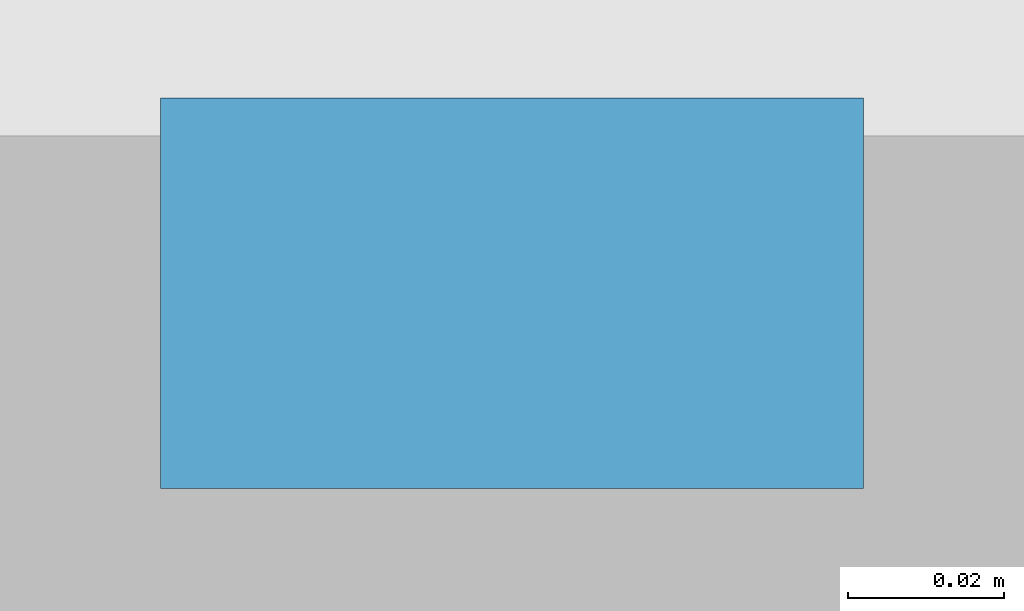
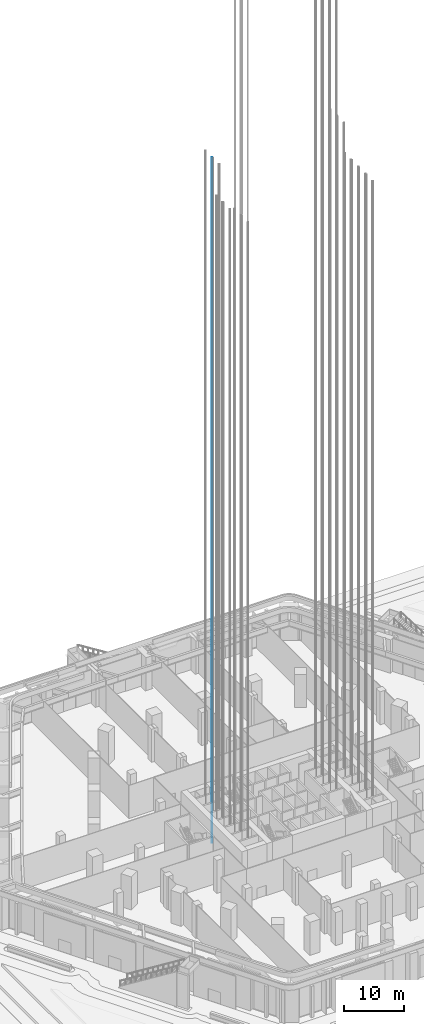
# One storey, part 37 of 68: 1 discrete accessory.
"""IFC4 building model written with IfcOpenShell, lengths in metres."""

import ifcopenshell
import ifcopenshell.guid

model = None  # the IFC model being written
_history = None  # IfcOwnerHistory: only IFC2X3 demands one
_inside = {}  # id of a spatial element -> (the spatial element, [elements in it])
_under = {}  # id of a project, library or spatial element -> (it, [spatial elements below it])
_declared = {}  # id of a project -> (the project, [libraries it declares])
_typed = {}  # id of a type object -> (the type object, [elements of that type])
_made_of = {}  # id of a material, layer set ... -> (it, [elements and type objects made of it])


def new_model(schema):
    """Start an empty IFC model of exactly this schema.

    Asked for "IFC4X3", IfcOpenShell would pick the latest addendum, in which some entities
    have other attributes; the version numbers below select the first issue.
    IFC2X3 requires an IfcOwnerHistory on every rooted entity: one is made here for all.
    """
    global model, _history
    if schema == "IFC4X3":
        model = ifcopenshell.file(schema_version=(4, 3, 0, 0))
    else:
        model = ifcopenshell.file(schema=schema)
    _inside.clear()
    _under.clear()
    _declared.clear()
    _typed.clear()
    _made_of.clear()
    _history = None
    if model.schema == "IFC2X3":
        org = make("IfcOrganization", Name="unknown")
        user = make(
            "IfcPersonAndOrganization",
            ThePerson=make("IfcPerson", FamilyName="unknown"),
            TheOrganization=org,
        )
        app = make(
            "IfcApplication",
            ApplicationDeveloper=org,
            Version="unknown",
            ApplicationFullName="unknown",
            ApplicationIdentifier="unknown",
        )
        _history = make(
            "IfcOwnerHistory",
            OwningUser=user,
            OwningApplication=app,
            ChangeAction="ADDED",
            CreationDate=0,
        )
    return model


def make(cls, **values):
    """One entity of the class cls with the attributes given. An attribute that is None is left unset."""
    return model.create_entity(
        cls, **{name: value for name, value in values.items() if value is not None}
    )


def rooted(cls, **values):
    """An entity with a GlobalId (a new one), such as an element, a storey or a relation."""
    return make(cls, GlobalId=ifcopenshell.guid.new(), OwnerHistory=_history, **values)


def si_unit(unit_type, name, prefix=None):
    """IfcSIUnit, for example si_unit("LENGTHUNIT", "METRE", prefix="MILLI")."""
    return make("IfcSIUnit", UnitType=unit_type, Prefix=prefix, Name=name)


def assignment(units):
    """IfcUnitAssignment: the units of a project."""
    return None if units is None else make("IfcUnitAssignment", Units=units)


def point(xyz):
    """IfcCartesianPoint."""
    return None if xyz is None else make("IfcCartesianPoint", Coordinates=xyz)


def direction(xyz):
    """IfcDirection."""
    return None if xyz is None else make("IfcDirection", DirectionRatios=xyz)


def frame(location, z_axis=None, x_axis=None):
    """IfcAxis2Placement3D, a coordinate frame: its origin and axes. An axis left out is left unset."""
    return make(
        "IfcAxis2Placement3D",
        Location=point(location),
        Axis=direction(z_axis),
        RefDirection=direction(x_axis),
    )


def frame_2d(location, x_axis=None):
    """IfcAxis2Placement2D, a coordinate frame in the plane: its origin and x axis."""
    return make(
        "IfcAxis2Placement2D", Location=point(location), RefDirection=direction(x_axis)
    )


def origin():
    """The frame at (0, 0, 0) with its axes left unset."""
    return frame((0.0, 0.0, 0.0))


def origin_2d():
    """The frame at (0, 0) in the plane with its x axis left unset."""
    return frame_2d((0.0, 0.0))


def place(relative_to, where):
    """IfcLocalPlacement: puts the frame where relative to a parent placement (None: the world)."""
    return make(
        "IfcLocalPlacement", PlacementRelTo=relative_to, RelativePlacement=where
    )


def context(
    kind, dimensions, precision=None, world=None, true_north=None, identifier=None
):
    """IfcGeometricRepresentationContext, for example the 3D "Model" context."""
    return make(
        "IfcGeometricRepresentationContext",
        ContextIdentifier=identifier,
        ContextType=kind,
        CoordinateSpaceDimension=dimensions,
        Precision=precision,
        WorldCoordinateSystem=world,
        TrueNorth=true_north,
    )


def subcontext(parent, identifier, kind, view, scale=None):
    """IfcGeometricRepresentationSubContext, for example "Body" below "Model"."""
    return make(
        "IfcGeometricRepresentationSubContext",
        ContextIdentifier=identifier,
        ContextType=kind,
        ParentContext=parent,
        TargetScale=scale,
        TargetView=view,
    )


def project(units=None, contexts=None):
    """IfcProject with its units and contexts."""
    return rooted(
        "IfcProject",
        Name="project",
        RepresentationContexts=contexts,
        UnitsInContext=assignment(units),
    )


def spatial(cls, under=None, at=None, **own):
    """A site, building, storey or space (cls), placed at a placement, below another one or the project."""
    s = rooted(cls, ObjectPlacement=at, **own)
    if under is not None:
        _under.setdefault(under.id(), (under, []))[1].append(s)
    return s


def profile(cls, at=None, kind="AREA", **sizes):
    """A parametric profile (cls). Its sizes go by their IFC names, for example OverallWidth=200.0."""
    return make(cls, ProfileType=kind, Position=at, **sizes)


def rectangle(**sizes):
    """IfcRectangleProfileDef."""
    return profile("IfcRectangleProfileDef", **sizes)


def extrude(swept, where, along, depth):
    """IfcExtrudedAreaSolid: the profile swept, set in the frame where, extruded along a direction by depth."""
    return make(
        "IfcExtrudedAreaSolid",
        SweptArea=swept,
        Position=where,
        ExtrudedDirection=direction(along),
        Depth=depth,
    )


def shape(context_of_items, identifier, shape_type, items):
    """IfcShapeRepresentation: the items that make up one representation, for example the "Body"."""
    return make(
        "IfcShapeRepresentation",
        ContextOfItems=context_of_items,
        RepresentationIdentifier=identifier,
        RepresentationType=shape_type,
        Items=items,
    )


def made_of(thing, what):
    """Note that an element or type object is made of a material, layer set ...; save() writes the relation."""
    if what is not None:
        _made_of.setdefault(what.id(), (what, []))[1].append(thing)
    return thing


def element(
    cls,
    number,
    at=None,
    inside=None,
    cuts=None,
    type_object=None,
    material=None,
    context=None,
    identifier="Body",
    shape_type=None,
    held_by="IfcProductDefinitionShape",
    body=None,
    shapes=None,
    **own,
):
    """One element of the class cls, such as IfcWall. Its Tag is "e" and its number.

    at: its placement. inside: the storey or other place that contains it. cuts: it is an
    opening in that element (IfcRelVoidsElement). A single representation is given by context,
    identifier, shape_type and body (its items); several are given by shapes. held_by: the class
    of the entity that holds the representations. save() writes the other relations.
    """
    e = rooted(cls, Tag="e%d" % number, ObjectPlacement=at, **own)
    if body is not None:
        shapes = [shape(context, identifier, shape_type, body)]
    if shapes is not None:
        e.Representation = make(held_by, Representations=shapes)
    if inside is not None:
        _inside.setdefault(inside.id(), (inside, []))[1].append(e)
    if cuts is not None:
        rooted(
            "IfcRelVoidsElement", RelatingBuildingElement=cuts, RelatedOpeningElement=e
        )
    if type_object is not None:
        _typed.setdefault(type_object.id(), (type_object, []))[1].append(e)
    return made_of(e, material)


def aggregate(whole, parts):
    """IfcRelAggregates: a whole, such as a stair, and the parts it consists of."""
    return rooted("IfcRelAggregates", RelatingObject=whole, RelatedObjects=parts)


def save(model, path):
    """Write the relations noted so far, then the file.

    IfcRelAggregates (storeys below a building ...), IfcRelContainedInSpatialStructure (elements
    in a storey), IfcRelDefinesByType, IfcRelAssociatesMaterial and IfcRelDeclares: one each for
    every whole, place, type object, material and project.
    """
    for whole, parts in _under.values():
        aggregate(whole, parts)
    for where, things in _inside.values():
        rooted(
            "IfcRelContainedInSpatialStructure",
            RelatedElements=things,
            RelatingStructure=where,
        )
    for kind, things in _typed.values():
        rooted("IfcRelDefinesByType", RelatedObjects=things, RelatingType=kind)
    for what, things in _made_of.values():
        rooted("IfcRelAssociatesMaterial", RelatedObjects=things, RelatingMaterial=what)
    for by, libraries in _declared.values():
        rooted("IfcRelDeclares", RelatingContext=by, RelatedDefinitions=libraries)
    model.write(path)


model = new_model("IFC4")

# Units and contexts
model_context = context("Model", 3, precision=1e-05, world=origin(), true_north=direction((0.0, 1.0)))
body_context = subcontext(model_context, "Body", "Model", "MODEL_VIEW")
ifc_project = project(units=[si_unit("LENGTHUNIT", "METRE"), si_unit("AREAUNIT", "SQUARE_METRE"), si_unit("VOLUMEUNIT", "CUBIC_METRE"), si_unit("PLANEANGLEUNIT", "RADIAN"), si_unit("MASSUNIT", "GRAM", prefix="KILO")], contexts=[model_context])

# Site, building, storey
site_placement = place(None, origin())
site = spatial("IfcSite", under=ifc_project, at=site_placement, CompositionType="ELEMENT")
building_placement = place(site_placement, origin())
building = spatial("IfcBuilding", under=site, at=building_placement, Name="Kolab Exchange Tower", CompositionType="ELEMENT")
storey_placement = place(building_placement, origin())
storey = spatial("IfcBuildingStorey", under=building, at=storey_placement, Name="L00", CompositionType="ELEMENT", Elevation=0.0)

# Discrete accessory
discrete_accessory_placement = place(storey_placement, frame((-12.0, 4.929931640625, -1.599853515625), z_axis=(0.0, 0.0, 1.0), x_axis=(1.0, 0.0, 0.0)))
element("IfcDiscreteAccessory", 1, at=discrete_accessory_placement, inside=storey, Name="Guide rail SH4-1", ObjectType="GUIDE RAIL", PredefinedType="USERDEFINED", context=body_context, shape_type="SweptSolid", body=[
    extrude(rectangle(XDim=0.090087890625, YDim=0.050048828125, at=origin_2d()), origin(), (0.0, 0.0, 1.0), 139.39990234375),
])

save(model, "model.ifc")
